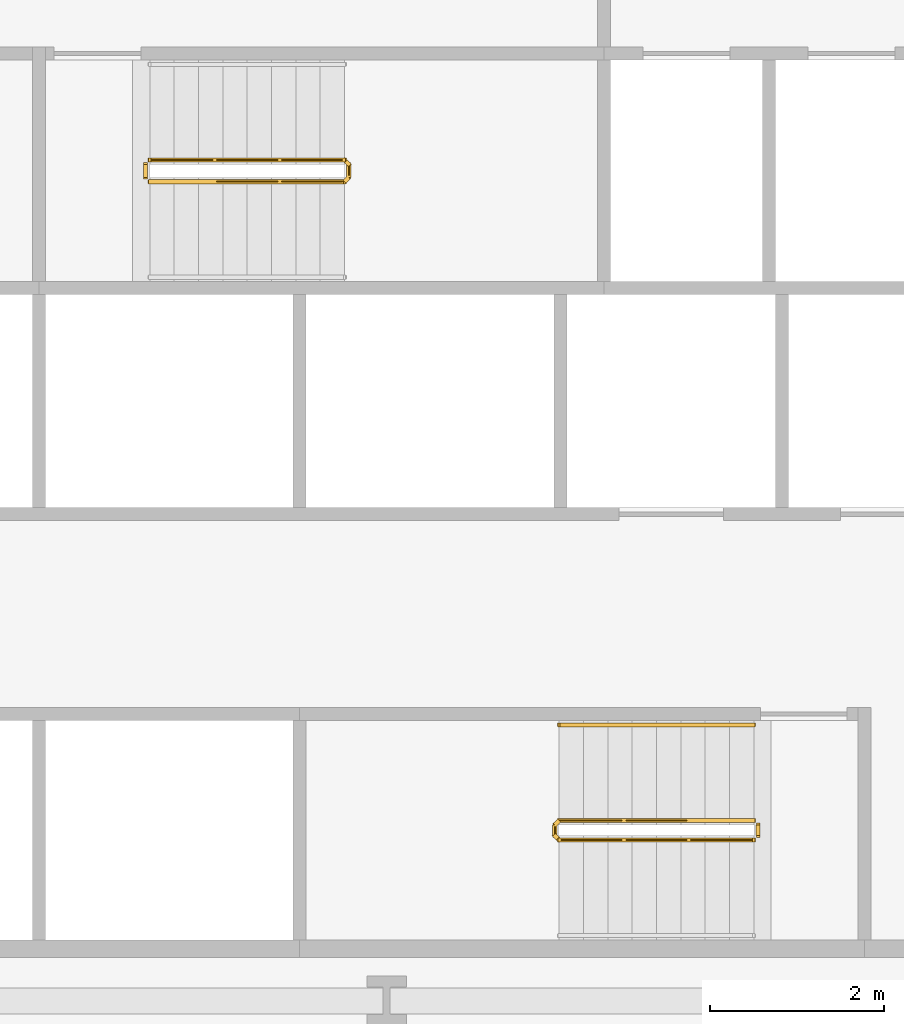
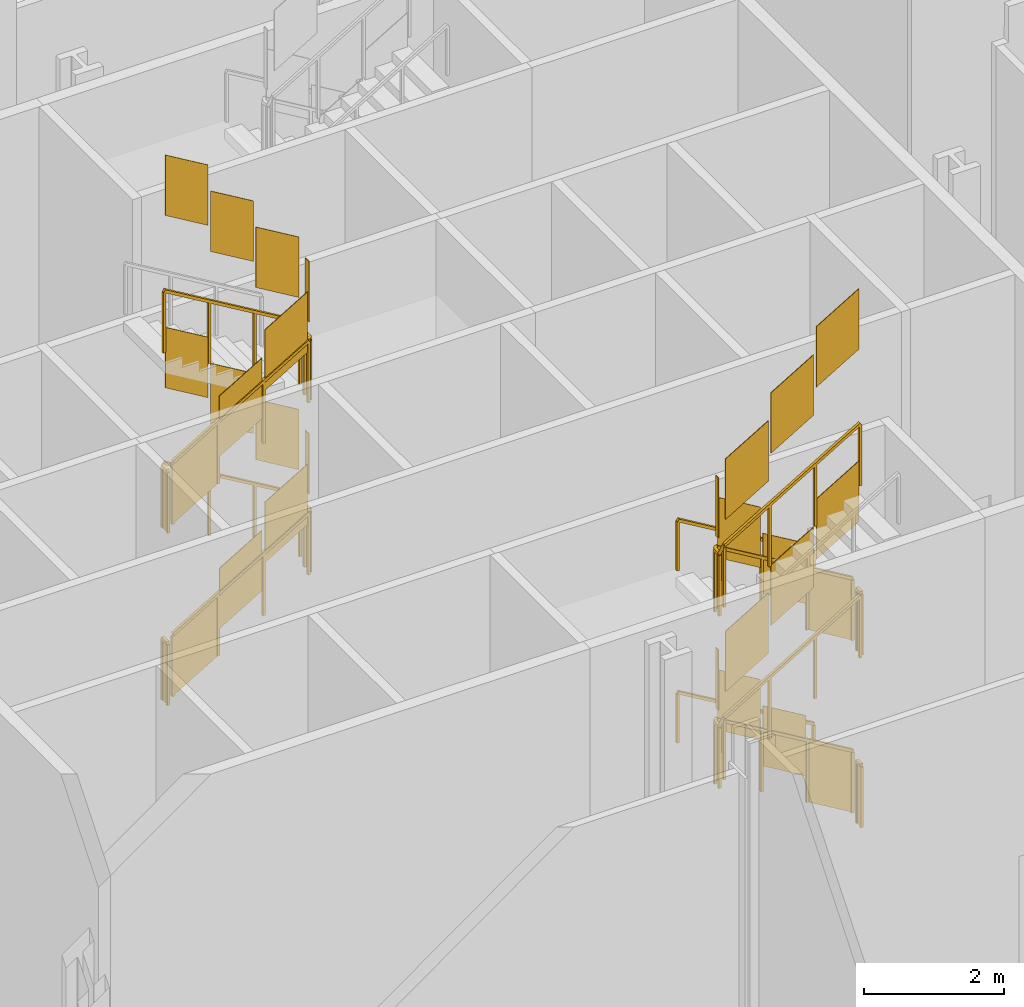
# One storey, part 26 of 31: 10 railings.
"""IFC4 building model written with IfcOpenShell, lengths in metres."""

from ifc_helpers import new_model, si_unit, direction, frame, origin, origin_2d, place, context, subcontext, project, spatial, polyline, rectangle, outline, extrude, material, type_object, element, save


model = new_model("IFC4")

# Units and contexts
model_context = context("Model", 3, precision=1e-05, world=origin(), true_north=direction((0.0, 1.0)))
body_context = subcontext(model_context, "Body", "Model", "MODEL_VIEW")
ifc_project = project(units=[si_unit("LENGTHUNIT", "METRE"), si_unit("AREAUNIT", "SQUARE_METRE"), si_unit("VOLUMEUNIT", "CUBIC_METRE"), si_unit("PLANEANGLEUNIT", "RADIAN"), si_unit("MASSUNIT", "GRAM", prefix="KILO")], contexts=[model_context])

# Site, building, storey
site_placement = place(None, origin())
site = spatial("IfcSite", under=ifc_project, at=site_placement, CompositionType="ELEMENT")
building_placement = place(site_placement, origin())
building = spatial("IfcBuilding", under=site, at=building_placement, Name="Cairn Pilgrim Tower", CompositionType="ELEMENT")
storey_placement = place(building_placement, frame((0.0, 0.0, 15.0)))
storey = spatial("IfcBuildingStorey", under=building, at=storey_placement, Name="L02", CompositionType="ELEMENT", Elevation=15.0)

# Railings
ifc_material = material(Name="Painted steel", Category="steel")
railing_type_1 = type_object("IfcRailingType", Name="STAIR GUARD 1100", PredefinedType="GUARDRAIL", material=ifc_material)
railing_1_placement = place(storey_placement, frame((11.425048828125, -3.925048828125, 0.166748046875)))
element("IfcRailing", 1, at=railing_1_placement, inside=storey, type_object=railing_type_1, Name="L02 ST-A stair guard 1", PredefinedType="GUARDRAIL", context=body_context, shape_type="SweptSolid", body=[
    extrude(rectangle(XDim=0.048095703125, YDim=0.048095703125, at=origin_2d()), frame((0.0, 0.0, 1.076171875), z_axis=(-0.859305625298, 0.0, 0.511462454469), x_axis=(0.0, -1.0, 0.0)), (0.0, 0.0, 1.0), 2.606689453125),
    extrude(rectangle(XDim=0.048095703125, YDim=0.048095703125, at=origin_2d()), frame((-2.239990234375, 0.0, 2.4091796875), z_axis=(-0.707106781187, -0.707106781187, 0.0), x_axis=(0.707106781187, -0.707106781187, 0.0)), (0.0, 0.0, 1.0), 0.07080078125),
    extrude(rectangle(XDim=0.048095703125, YDim=0.048095703125, at=origin_2d()), frame((-2.2900390625, -0.050048828125, 2.4091796875), z_axis=(0.0, -1.0, 0.0), x_axis=(1.0, 0.0, 0.0)), (0.0, 0.0, 1.0), 0.125),
    extrude(rectangle(XDim=0.048095703125, YDim=0.048095703125, at=origin_2d()), frame((-2.2900390625, -0.175048828125, 2.4091796875), z_axis=(0.276389281352, -0.275041040955, 0.920848191041), x_axis=(0.705375805398, 0.708833529934, 0.0)), (0.0, 0.0, 1.0), 0.18115234375),
    extrude(rectangle(XDim=0.048095703125, YDim=0.048095703125, at=origin_2d()), frame((-2.239990234375, -0.224853515625, 2.576171875), z_axis=(0.859305625298, 0.0, 0.511462454469), x_axis=(0.0, 1.0, 0.0)), (0.0, 0.0, 1.0), 2.606689453125),
    extrude(rectangle(XDim=0.0419921875, YDim=0.0419921875, at=origin_2d()), origin(), (0.0, 0.0, 1.0), 1.052001953125),
    extrude(rectangle(XDim=0.0419921875, YDim=0.0419921875, at=origin_2d()), frame((-0.74658203125, 0.0, 0.4443359375)), (0.0, 0.0, 1.0), 1.052001953125),
    extrude(rectangle(XDim=0.0419921875, YDim=0.0419921875, at=origin_2d()), frame((-1.493408203125, 0.0, 0.888916015625)), (0.0, 0.0, 1.0), 1.052001953125),
    extrude(rectangle(XDim=0.0419921875, YDim=0.0419921875, at=origin_2d()), frame((-2.239990234375, 0.0, 1.333251953125)), (0.0, 0.0, 1.0), 1.052001953125),
    extrude(rectangle(XDim=0.0419921875, YDim=0.0419921875, at=origin_2d()), frame((-2.2900390625, -0.050048828125, 1.333251953125)), (0.0, 0.0, 1.0), 1.052001953125),
    extrude(rectangle(XDim=0.0419921875, YDim=0.0419921875, at=origin_2d()), frame((-2.2900390625, -0.175048828125, 1.333251953125)), (0.0, 0.0, 1.0), 1.052001953125),
    extrude(rectangle(XDim=0.0419921875, YDim=0.0419921875, at=origin_2d()), frame((-2.239990234375, -0.224853515625, 1.5)), (0.0, 0.0, 1.0), 1.052001953125),
    extrude(rectangle(XDim=0.0419921875, YDim=0.0419921875, at=origin_2d()), frame((-1.493408203125, -0.224853515625, 1.9443359375)), (0.0, 0.0, 1.0), 1.052001953125),
    extrude(rectangle(XDim=0.0419921875, YDim=0.0419921875, at=origin_2d()), frame((-0.74658203125, -0.224853515625, 2.388916015625)), (0.0, 0.0, 1.0), 1.052001953125),
    extrude(rectangle(XDim=0.0419921875, YDim=0.0419921875, at=origin_2d()), frame((0.0, -0.224853515625, 2.833251953125)), (0.0, 0.0, 1.0), 1.052001953125),
    extrude(outline(polyline([(0.02099609375, 0.012451171875), (0.7255859375, 0.431884765625), (0.7255859375, 1.48388671875), (0.02099609375, 1.064453125), (0.02099609375, 0.012451171875)])), frame((0.0, -0.005859375, 0.0), z_axis=(0.0, 1.0, 0.0), x_axis=(-1.0, 0.0, 0.0)), (0.0, 0.0, 1.0), 0.011962890625),
    extrude(outline(polyline([(0.02099609375, 0.45703125), (0.7255859375, 0.876220703125), (0.7255859375, 1.92822265625), (0.02099609375, 1.509033203125), (0.02099609375, 0.45703125)])), frame((-0.74658203125, -0.005859375, 0.4443359375), z_axis=(0.0, 1.0, 0.0), x_axis=(-1.0, 0.0, 0.0)), (0.0, 0.0, 1.0), 0.011962890625),
    extrude(outline(polyline([(0.02099609375, 0.9013671875), (0.7255859375, 1.32080078125), (0.7255859375, 2.372802734375), (0.02099609375, 1.953369140625), (0.02099609375, 0.9013671875)])), frame((-1.493408203125, -0.005859375, 0.888916015625), z_axis=(0.0, 1.0, 0.0), x_axis=(-1.0, 0.0, 0.0)), (0.0, 0.0, 1.0), 0.011962890625),
    extrude(outline(polyline([(0.02099609375, 1.333251953125), (0.10400390625, 1.333251953125), (0.10400390625, 2.38525390625), (0.02099609375, 2.38525390625), (0.02099609375, 1.333251953125)])), frame((-2.2841796875, -0.050048828125, 1.333251953125), z_axis=(-1.0, 0.0, 0.0), x_axis=(0.0, -1.0, 0.0)), (0.0, 0.0, 1.0), 0.011962890625),
    extrude(outline(polyline([(0.02099609375, 1.512451171875), (0.7255859375, 1.931884765625), (0.7255859375, 2.98388671875), (0.02099609375, 2.564453125), (0.02099609375, 1.512451171875)])), frame((-2.239990234375, -0.21875, 1.5), z_axis=(0.0, -1.0, 0.0), x_axis=(1.0, 0.0, 0.0)), (0.0, 0.0, 1.0), 0.011962890625),
    extrude(outline(polyline([(0.02099609375, 1.95703125), (0.7255859375, 2.376220703125), (0.7255859375, 3.42822265625), (0.02099609375, 3.009033203125), (0.02099609375, 1.95703125)])), frame((-1.493408203125, -0.21875, 1.9443359375), z_axis=(0.0, -1.0, 0.0), x_axis=(1.0, 0.0, 0.0)), (0.0, 0.0, 1.0), 0.011962890625),
    extrude(outline(polyline([(0.02099609375, 2.4013671875), (0.7255859375, 2.82080078125), (0.7255859375, 3.872802734375), (0.02099609375, 3.453369140625), (0.02099609375, 2.4013671875)])), frame((-0.74658203125, -0.21875, 2.388916015625), z_axis=(0.0, -1.0, 0.0), x_axis=(1.0, 0.0, 0.0)), (0.0, 0.0, 1.0), 0.011962890625),
])
railing_2_placement = place(storey_placement, frame((11.47509765625, -3.97509765625, 3.0)))
element("IfcRailing", 2, at=railing_2_placement, inside=storey, type_object=railing_type_1, Name="L02 ST-A stair guard 2", PredefinedType="GUARDRAIL", context=body_context, shape_type="SweptSolid", body=[
    extrude(rectangle(XDim=0.048095703125, YDim=0.048095703125, at=origin_2d()), frame((0.0, 0.0, 1.076171875), z_axis=(0.0, -1.0, 0.0), x_axis=(1.0, 0.0, 0.0)), (0.0, 0.0, 1.0), 0.125),
    extrude(rectangle(XDim=0.0419921875, YDim=0.0419921875, at=origin_2d()), origin(), (0.0, 0.0, 1.0), 1.052001953125),
    extrude(rectangle(XDim=0.0419921875, YDim=0.0419921875, at=origin_2d()), frame((0.0, -0.125, 0.0)), (0.0, 0.0, 1.0), 1.052001953125),
    extrude(outline(polyline([(0.02099609375, 0.0), (0.10400390625, 0.0), (0.10400390625, 1.052001953125), (0.02099609375, 1.052001953125), (0.02099609375, 0.0)])), frame((0.005859375, 0.0, 0.0), z_axis=(-1.0, 0.0, 0.0), x_axis=(0.0, -1.0, 0.0)), (0.0, 0.0, 1.0), 0.011962890625),
])
railing_3_placement = place(storey_placement, frame((11.425048828125, -3.925048828125, 3.166748046875)))
element("IfcRailing", 3, at=railing_3_placement, inside=storey, type_object=railing_type_1, Name="L02 ST-A stair guard 3", PredefinedType="GUARDRAIL", context=body_context, shape_type="SweptSolid", body=[
    extrude(rectangle(XDim=0.048095703125, YDim=0.048095703125, at=origin_2d()), frame((0.0, 0.0, 1.076171875), z_axis=(-0.859305625298, 0.0, 0.511462454469), x_axis=(0.0, -1.0, 0.0)), (0.0, 0.0, 1.0), 2.606689453125),
    extrude(rectangle(XDim=0.048095703125, YDim=0.048095703125, at=origin_2d()), frame((-2.239990234375, 0.0, 2.4091796875), z_axis=(-0.707106781187, -0.707106781187, 0.0), x_axis=(0.707106781187, -0.707106781187, 0.0)), (0.0, 0.0, 1.0), 0.07080078125),
    extrude(rectangle(XDim=0.048095703125, YDim=0.048095703125, at=origin_2d()), frame((-2.2900390625, -0.050048828125, 2.4091796875), z_axis=(0.0, -1.0, 0.0), x_axis=(1.0, 0.0, 0.0)), (0.0, 0.0, 1.0), 0.125),
    extrude(rectangle(XDim=0.048095703125, YDim=0.048095703125, at=origin_2d()), frame((-2.2900390625, -0.175048828125, 2.4091796875), z_axis=(0.276389281352, -0.275041040955, 0.920848191041), x_axis=(0.705375805398, 0.708833529934, 0.0)), (0.0, 0.0, 1.0), 0.18115234375),
    extrude(rectangle(XDim=0.048095703125, YDim=0.048095703125, at=origin_2d()), frame((-2.239990234375, -0.224853515625, 2.576171875), z_axis=(0.859305625298, 0.0, 0.511462454469), x_axis=(0.0, 1.0, 0.0)), (0.0, 0.0, 1.0), 2.606689453125),
    extrude(rectangle(XDim=0.0419921875, YDim=0.0419921875, at=origin_2d()), origin(), (0.0, 0.0, 1.0), 1.052001953125),
    extrude(rectangle(XDim=0.0419921875, YDim=0.0419921875, at=origin_2d()), frame((-0.74658203125, 0.0, 0.4443359375)), (0.0, 0.0, 1.0), 1.052001953125),
    extrude(rectangle(XDim=0.0419921875, YDim=0.0419921875, at=origin_2d()), frame((-1.493408203125, 0.0, 0.888916015625)), (0.0, 0.0, 1.0), 1.052001953125),
    extrude(rectangle(XDim=0.0419921875, YDim=0.0419921875, at=origin_2d()), frame((-2.239990234375, 0.0, 1.333251953125)), (0.0, 0.0, 1.0), 1.052001953125),
    extrude(rectangle(XDim=0.0419921875, YDim=0.0419921875, at=origin_2d()), frame((-2.2900390625, -0.050048828125, 1.333251953125)), (0.0, 0.0, 1.0), 1.052001953125),
    extrude(rectangle(XDim=0.0419921875, YDim=0.0419921875, at=origin_2d()), frame((-2.2900390625, -0.175048828125, 1.333251953125)), (0.0, 0.0, 1.0), 1.052001953125),
    extrude(rectangle(XDim=0.0419921875, YDim=0.0419921875, at=origin_2d()), frame((-2.239990234375, -0.224853515625, 1.5)), (0.0, 0.0, 1.0), 1.052001953125),
    extrude(rectangle(XDim=0.0419921875, YDim=0.0419921875, at=origin_2d()), frame((-1.493408203125, -0.224853515625, 1.9443359375)), (0.0, 0.0, 1.0), 1.052001953125),
    extrude(rectangle(XDim=0.0419921875, YDim=0.0419921875, at=origin_2d()), frame((-0.74658203125, -0.224853515625, 2.388916015625)), (0.0, 0.0, 1.0), 1.052001953125),
    extrude(rectangle(XDim=0.0419921875, YDim=0.0419921875, at=origin_2d()), frame((0.0, -0.224853515625, 2.833251953125)), (0.0, 0.0, 1.0), 1.052001953125),
    extrude(outline(polyline([(0.02099609375, 0.012451171875), (0.7255859375, 0.431884765625), (0.7255859375, 1.48388671875), (0.02099609375, 1.064453125), (0.02099609375, 0.012451171875)])), frame((0.0, -0.005859375, 0.0), z_axis=(0.0, 1.0, 0.0), x_axis=(-1.0, 0.0, 0.0)), (0.0, 0.0, 1.0), 0.011962890625),
    extrude(outline(polyline([(0.02099609375, 0.45703125), (0.7255859375, 0.876220703125), (0.7255859375, 1.92822265625), (0.02099609375, 1.509033203125), (0.02099609375, 0.45703125)])), frame((-0.74658203125, -0.005859375, 0.4443359375), z_axis=(0.0, 1.0, 0.0), x_axis=(-1.0, 0.0, 0.0)), (0.0, 0.0, 1.0), 0.011962890625),
    extrude(outline(polyline([(0.02099609375, 0.9013671875), (0.7255859375, 1.32080078125), (0.7255859375, 2.372802734375), (0.02099609375, 1.953369140625), (0.02099609375, 0.9013671875)])), frame((-1.493408203125, -0.005859375, 0.888916015625), z_axis=(0.0, 1.0, 0.0), x_axis=(-1.0, 0.0, 0.0)), (0.0, 0.0, 1.0), 0.011962890625),
    extrude(outline(polyline([(0.02099609375, 1.333251953125), (0.10400390625, 1.333251953125), (0.10400390625, 2.38525390625), (0.02099609375, 2.38525390625), (0.02099609375, 1.333251953125)])), frame((-2.2841796875, -0.050048828125, 1.333251953125), z_axis=(-1.0, 0.0, 0.0), x_axis=(0.0, -1.0, 0.0)), (0.0, 0.0, 1.0), 0.011962890625),
    extrude(outline(polyline([(0.02099609375, 1.512451171875), (0.7255859375, 1.931884765625), (0.7255859375, 2.98388671875), (0.02099609375, 2.564453125), (0.02099609375, 1.512451171875)])), frame((-2.239990234375, -0.21875, 1.5), z_axis=(0.0, -1.0, 0.0), x_axis=(1.0, 0.0, 0.0)), (0.0, 0.0, 1.0), 0.011962890625),
    extrude(outline(polyline([(0.02099609375, 1.95703125), (0.7255859375, 2.376220703125), (0.7255859375, 3.42822265625), (0.02099609375, 3.009033203125), (0.02099609375, 1.95703125)])), frame((-1.493408203125, -0.21875, 1.9443359375), z_axis=(0.0, -1.0, 0.0), x_axis=(1.0, 0.0, 0.0)), (0.0, 0.0, 1.0), 0.011962890625),
    extrude(outline(polyline([(0.02099609375, 2.4013671875), (0.7255859375, 2.82080078125), (0.7255859375, 3.872802734375), (0.02099609375, 3.453369140625), (0.02099609375, 2.4013671875)])), frame((-0.74658203125, -0.21875, 2.388916015625), z_axis=(0.0, -1.0, 0.0), x_axis=(1.0, 0.0, 0.0)), (0.0, 0.0, 1.0), 0.011962890625),
])
railing_4_placement = place(storey_placement, frame((11.47509765625, -3.97509765625, 0.0)))
element("IfcRailing", 4, at=railing_4_placement, inside=storey, type_object=railing_type_1, Name="L02 ST-A stair guard 4", PredefinedType="GUARDRAIL", context=body_context, shape_type="SweptSolid", body=[
    extrude(rectangle(XDim=0.048095703125, YDim=0.048095703125, at=origin_2d()), frame((0.0, 0.0, 1.076171875), z_axis=(0.0, -1.0, 0.0), x_axis=(1.0, 0.0, 0.0)), (0.0, 0.0, 1.0), 0.125),
    extrude(rectangle(XDim=0.0419921875, YDim=0.0419921875, at=origin_2d()), origin(), (0.0, 0.0, 1.0), 1.052001953125),
    extrude(rectangle(XDim=0.0419921875, YDim=0.0419921875, at=origin_2d()), frame((0.0, -0.125, 0.0)), (0.0, 0.0, 1.0), 1.052001953125),
    extrude(outline(polyline([(0.02099609375, 0.0), (0.10400390625, 0.0), (0.10400390625, 1.052001953125), (0.02099609375, 1.052001953125), (0.02099609375, 0.0)])), frame((0.005859375, 0.0, 0.0), z_axis=(-1.0, 0.0, 0.0), x_axis=(0.0, -1.0, 0.0)), (0.0, 0.0, 1.0), 0.011962890625),
])
railing_5_placement = place(storey_placement, frame((4.47509765625, 3.425048828125, 0.166748046875)))
element("IfcRailing", 5, at=railing_5_placement, inside=storey, type_object=railing_type_1, Name="L02 ST-B stair guard 1", PredefinedType="GUARDRAIL", context=body_context, shape_type="SweptSolid", body=[
    extrude(rectangle(XDim=0.048095703125, YDim=0.048095703125, at=origin_2d()), frame((0.0, 0.0, 1.076171875), z_axis=(0.859305625298, 0.0, 0.511462454469), x_axis=(0.0, 1.0, 0.0)), (0.0, 0.0, 1.0), 2.606689453125),
    extrude(rectangle(XDim=0.048095703125, YDim=0.048095703125, at=origin_2d()), frame((2.239990234375, 0.0, 2.4091796875), z_axis=(0.705375805398, 0.708833529934, 0.0), x_axis=(-0.708833529934, 0.705375805398, 0.0)), (0.0, 0.0, 1.0), 0.070556640625),
    extrude(rectangle(XDim=0.048095703125, YDim=0.048095703125, at=origin_2d()), frame((2.289794921875, 0.050048828125, 2.4091796875), z_axis=(0.0, 1.0, 0.0), x_axis=(-1.0, 0.0, 0.0)), (0.0, 0.0, 1.0), 0.14990234375),
    extrude(rectangle(XDim=0.048095703125, YDim=0.048095703125, at=origin_2d()), frame((2.289794921875, 0.199951171875, 2.4091796875), z_axis=(-0.275041040955, 0.276389281352, 0.920848191041), x_axis=(-0.708833529934, -0.705375805398, 0.0)), (0.0, 0.0, 1.0), 0.18115234375),
    extrude(rectangle(XDim=0.048095703125, YDim=0.048095703125, at=origin_2d()), frame((2.239990234375, 0.25, 2.576171875), z_axis=(-0.859305625298, 0.0, 0.511462454469), x_axis=(0.0, -1.0, 0.0)), (0.0, 0.0, 1.0), 2.606689453125),
    extrude(rectangle(XDim=0.0419921875, YDim=0.0419921875, at=origin_2d()), origin(), (0.0, 0.0, 1.0), 1.052001953125),
    extrude(rectangle(XDim=0.0419921875, YDim=0.0419921875, at=origin_2d()), frame((0.74658203125, 0.0, 0.4443359375)), (0.0, 0.0, 1.0), 1.052001953125),
    extrude(rectangle(XDim=0.0419921875, YDim=0.0419921875, at=origin_2d()), frame((1.493408203125, 0.0, 0.888916015625)), (0.0, 0.0, 1.0), 1.052001953125),
    extrude(rectangle(XDim=0.0419921875, YDim=0.0419921875, at=origin_2d()), frame((2.239990234375, 0.0, 1.333251953125)), (0.0, 0.0, 1.0), 1.052001953125),
    extrude(rectangle(XDim=0.0419921875, YDim=0.0419921875, at=origin_2d()), frame((2.289794921875, 0.050048828125, 1.333251953125)), (0.0, 0.0, 1.0), 1.052001953125),
    extrude(rectangle(XDim=0.0419921875, YDim=0.0419921875, at=origin_2d()), frame((2.289794921875, 0.199951171875, 1.333251953125)), (0.0, 0.0, 1.0), 1.052001953125),
    extrude(rectangle(XDim=0.0419921875, YDim=0.0419921875, at=origin_2d()), frame((2.239990234375, 0.25, 1.5)), (0.0, 0.0, 1.0), 1.052001953125),
    extrude(rectangle(XDim=0.0419921875, YDim=0.0419921875, at=origin_2d()), frame((1.493408203125, 0.25, 1.9443359375)), (0.0, 0.0, 1.0), 1.052001953125),
    extrude(rectangle(XDim=0.0419921875, YDim=0.0419921875, at=origin_2d()), frame((0.74658203125, 0.25, 2.388916015625)), (0.0, 0.0, 1.0), 1.052001953125),
    extrude(rectangle(XDim=0.0419921875, YDim=0.0419921875, at=origin_2d()), frame((0.0, 0.25, 2.833251953125)), (0.0, 0.0, 1.0), 1.052001953125),
    extrude(outline(polyline([(0.02099609375, 0.012451171875), (0.7255859375, 0.431884765625), (0.7255859375, 1.48388671875), (0.02099609375, 1.064453125), (0.02099609375, 0.012451171875)])), frame((0.0, 0.005859375, 0.0), z_axis=(0.0, -1.0, 0.0), x_axis=(1.0, 0.0, 0.0)), (0.0, 0.0, 1.0), 0.011962890625),
    extrude(outline(polyline([(0.02099609375, 0.45703125), (0.7255859375, 0.876220703125), (0.7255859375, 1.92822265625), (0.02099609375, 1.509033203125), (0.02099609375, 0.45703125)])), frame((0.74658203125, 0.005859375, 0.4443359375), z_axis=(0.0, -1.0, 0.0), x_axis=(1.0, 0.0, 0.0)), (0.0, 0.0, 1.0), 0.011962890625),
    extrude(outline(polyline([(0.02099609375, 0.9013671875), (0.7255859375, 1.32080078125), (0.7255859375, 2.372802734375), (0.02099609375, 1.953369140625), (0.02099609375, 0.9013671875)])), frame((1.493408203125, 0.005859375, 0.888916015625), z_axis=(0.0, -1.0, 0.0), x_axis=(1.0, 0.0, 0.0)), (0.0, 0.0, 1.0), 0.011962890625),
    extrude(outline(polyline([(0.02099609375, 1.333251953125), (0.12890625, 1.333251953125), (0.12890625, 2.38525390625), (0.02099609375, 2.38525390625), (0.02099609375, 1.333251953125)])), frame((2.28369140625, 0.050048828125, 1.333251953125), z_axis=(1.0, 0.0, 0.0), x_axis=(0.0, 1.0, 0.0)), (0.0, 0.0, 1.0), 0.011962890625),
    extrude(outline(polyline([(0.02099609375, 1.512451171875), (0.7255859375, 1.931884765625), (0.7255859375, 2.98388671875), (0.02099609375, 2.564453125), (0.02099609375, 1.512451171875)])), frame((2.239990234375, 0.244140625, 1.5), z_axis=(0.0, 1.0, 0.0), x_axis=(-1.0, 0.0, 0.0)), (0.0, 0.0, 1.0), 0.011962890625),
    extrude(outline(polyline([(0.02099609375, 1.95703125), (0.7255859375, 2.376220703125), (0.7255859375, 3.42822265625), (0.02099609375, 3.009033203125), (0.02099609375, 1.95703125)])), frame((1.493408203125, 0.244140625, 1.9443359375), z_axis=(0.0, 1.0, 0.0), x_axis=(-1.0, 0.0, 0.0)), (0.0, 0.0, 1.0), 0.011962890625),
    extrude(outline(polyline([(0.02099609375, 2.4013671875), (0.7255859375, 2.82080078125), (0.7255859375, 3.872802734375), (0.02099609375, 3.453369140625), (0.02099609375, 2.4013671875)])), frame((0.74658203125, 0.244140625, 2.388916015625), z_axis=(0.0, 1.0, 0.0), x_axis=(-1.0, 0.0, 0.0)), (0.0, 0.0, 1.0), 0.011962890625),
])
railing_6_placement = place(storey_placement, frame((4.425048828125, 3.47509765625, 3.0)))
element("IfcRailing", 6, at=railing_6_placement, inside=storey, type_object=railing_type_1, Name="L02 ST-B stair guard 2", PredefinedType="GUARDRAIL", context=body_context, shape_type="SweptSolid", body=[
    extrude(rectangle(XDim=0.048095703125, YDim=0.048095703125, at=origin_2d()), frame((0.0, 0.0, 1.076171875), z_axis=(0.0, 1.0, 0.0), x_axis=(-1.0, 0.0, 0.0)), (0.0, 0.0, 1.0), 0.14990234375),
    extrude(rectangle(XDim=0.0419921875, YDim=0.0419921875, at=origin_2d()), origin(), (0.0, 0.0, 1.0), 1.052001953125),
    extrude(rectangle(XDim=0.0419921875, YDim=0.0419921875, at=origin_2d()), frame((0.0, 0.14990234375, 0.0)), (0.0, 0.0, 1.0), 1.052001953125),
    extrude(outline(polyline([(0.02099609375, 0.0), (0.12890625, 0.0), (0.12890625, 1.052001953125), (0.02099609375, 1.052001953125), (0.02099609375, 0.0)])), frame((-0.005859375, 0.0, 0.0), z_axis=(1.0, 0.0, 0.0), x_axis=(0.0, 1.0, 0.0)), (0.0, 0.0, 1.0), 0.011962890625),
])
railing_7_placement = place(storey_placement, frame((4.47509765625, 3.425048828125, 3.166748046875)))
element("IfcRailing", 7, at=railing_7_placement, inside=storey, type_object=railing_type_1, Name="L02 ST-B stair guard 3", PredefinedType="GUARDRAIL", context=body_context, shape_type="SweptSolid", body=[
    extrude(rectangle(XDim=0.048095703125, YDim=0.048095703125, at=origin_2d()), frame((0.0, 0.0, 1.076171875), z_axis=(0.859305625298, 0.0, 0.511462454469), x_axis=(0.0, 1.0, 0.0)), (0.0, 0.0, 1.0), 2.606689453125),
    extrude(rectangle(XDim=0.048095703125, YDim=0.048095703125, at=origin_2d()), frame((2.239990234375, 0.0, 2.4091796875), z_axis=(0.705375805398, 0.708833529934, 0.0), x_axis=(-0.708833529934, 0.705375805398, 0.0)), (0.0, 0.0, 1.0), 0.070556640625),
    extrude(rectangle(XDim=0.048095703125, YDim=0.048095703125, at=origin_2d()), frame((2.289794921875, 0.050048828125, 2.4091796875), z_axis=(0.0, 1.0, 0.0), x_axis=(-1.0, 0.0, 0.0)), (0.0, 0.0, 1.0), 0.14990234375),
    extrude(rectangle(XDim=0.048095703125, YDim=0.048095703125, at=origin_2d()), frame((2.289794921875, 0.199951171875, 2.4091796875), z_axis=(-0.275041040955, 0.276389281352, 0.920848191041), x_axis=(-0.708833529934, -0.705375805398, 0.0)), (0.0, 0.0, 1.0), 0.18115234375),
    extrude(rectangle(XDim=0.048095703125, YDim=0.048095703125, at=origin_2d()), frame((2.239990234375, 0.25, 2.576171875), z_axis=(-0.859305625298, 0.0, 0.511462454469), x_axis=(0.0, -1.0, 0.0)), (0.0, 0.0, 1.0), 2.606689453125),
    extrude(rectangle(XDim=0.0419921875, YDim=0.0419921875, at=origin_2d()), origin(), (0.0, 0.0, 1.0), 1.052001953125),
    extrude(rectangle(XDim=0.0419921875, YDim=0.0419921875, at=origin_2d()), frame((0.74658203125, 0.0, 0.4443359375)), (0.0, 0.0, 1.0), 1.052001953125),
    extrude(rectangle(XDim=0.0419921875, YDim=0.0419921875, at=origin_2d()), frame((1.493408203125, 0.0, 0.888916015625)), (0.0, 0.0, 1.0), 1.052001953125),
    extrude(rectangle(XDim=0.0419921875, YDim=0.0419921875, at=origin_2d()), frame((2.239990234375, 0.0, 1.333251953125)), (0.0, 0.0, 1.0), 1.052001953125),
    extrude(rectangle(XDim=0.0419921875, YDim=0.0419921875, at=origin_2d()), frame((2.289794921875, 0.050048828125, 1.333251953125)), (0.0, 0.0, 1.0), 1.052001953125),
    extrude(rectangle(XDim=0.0419921875, YDim=0.0419921875, at=origin_2d()), frame((2.289794921875, 0.199951171875, 1.333251953125)), (0.0, 0.0, 1.0), 1.052001953125),
    extrude(rectangle(XDim=0.0419921875, YDim=0.0419921875, at=origin_2d()), frame((2.239990234375, 0.25, 1.5)), (0.0, 0.0, 1.0), 1.052001953125),
    extrude(rectangle(XDim=0.0419921875, YDim=0.0419921875, at=origin_2d()), frame((1.493408203125, 0.25, 1.9443359375)), (0.0, 0.0, 1.0), 1.052001953125),
    extrude(rectangle(XDim=0.0419921875, YDim=0.0419921875, at=origin_2d()), frame((0.74658203125, 0.25, 2.388916015625)), (0.0, 0.0, 1.0), 1.052001953125),
    extrude(rectangle(XDim=0.0419921875, YDim=0.0419921875, at=origin_2d()), frame((0.0, 0.25, 2.833251953125)), (0.0, 0.0, 1.0), 1.052001953125),
    extrude(outline(polyline([(0.02099609375, 0.012451171875), (0.7255859375, 0.431884765625), (0.7255859375, 1.48388671875), (0.02099609375, 1.064453125), (0.02099609375, 0.012451171875)])), frame((0.0, 0.005859375, 0.0), z_axis=(0.0, -1.0, 0.0), x_axis=(1.0, 0.0, 0.0)), (0.0, 0.0, 1.0), 0.011962890625),
    extrude(outline(polyline([(0.02099609375, 0.45703125), (0.7255859375, 0.876220703125), (0.7255859375, 1.92822265625), (0.02099609375, 1.509033203125), (0.02099609375, 0.45703125)])), frame((0.74658203125, 0.005859375, 0.4443359375), z_axis=(0.0, -1.0, 0.0), x_axis=(1.0, 0.0, 0.0)), (0.0, 0.0, 1.0), 0.011962890625),
    extrude(outline(polyline([(0.02099609375, 0.9013671875), (0.7255859375, 1.32080078125), (0.7255859375, 2.372802734375), (0.02099609375, 1.953369140625), (0.02099609375, 0.9013671875)])), frame((1.493408203125, 0.005859375, 0.888916015625), z_axis=(0.0, -1.0, 0.0), x_axis=(1.0, 0.0, 0.0)), (0.0, 0.0, 1.0), 0.011962890625),
    extrude(outline(polyline([(0.02099609375, 1.333251953125), (0.12890625, 1.333251953125), (0.12890625, 2.38525390625), (0.02099609375, 2.38525390625), (0.02099609375, 1.333251953125)])), frame((2.28369140625, 0.050048828125, 1.333251953125), z_axis=(1.0, 0.0, 0.0), x_axis=(0.0, 1.0, 0.0)), (0.0, 0.0, 1.0), 0.011962890625),
    extrude(outline(polyline([(0.02099609375, 1.512451171875), (0.7255859375, 1.931884765625), (0.7255859375, 2.98388671875), (0.02099609375, 2.564453125), (0.02099609375, 1.512451171875)])), frame((2.239990234375, 0.244140625, 1.5), z_axis=(0.0, 1.0, 0.0), x_axis=(-1.0, 0.0, 0.0)), (0.0, 0.0, 1.0), 0.011962890625),
    extrude(outline(polyline([(0.02099609375, 1.95703125), (0.7255859375, 2.376220703125), (0.7255859375, 3.42822265625), (0.02099609375, 3.009033203125), (0.02099609375, 1.95703125)])), frame((1.493408203125, 0.244140625, 1.9443359375), z_axis=(0.0, 1.0, 0.0), x_axis=(-1.0, 0.0, 0.0)), (0.0, 0.0, 1.0), 0.011962890625),
    extrude(outline(polyline([(0.02099609375, 2.4013671875), (0.7255859375, 2.82080078125), (0.7255859375, 3.872802734375), (0.02099609375, 3.453369140625), (0.02099609375, 2.4013671875)])), frame((0.74658203125, 0.244140625, 2.388916015625), z_axis=(0.0, 1.0, 0.0), x_axis=(-1.0, 0.0, 0.0)), (0.0, 0.0, 1.0), 0.011962890625),
])
railing_8_placement = place(storey_placement, frame((4.425048828125, 3.47509765625, 0.0)))
element("IfcRailing", 8, at=railing_8_placement, inside=storey, type_object=railing_type_1, Name="L02 ST-B stair guard 4", PredefinedType="GUARDRAIL", context=body_context, shape_type="SweptSolid", body=[
    extrude(rectangle(XDim=0.048095703125, YDim=0.048095703125, at=origin_2d()), frame((0.0, 0.0, 1.076171875), z_axis=(0.0, 1.0, 0.0), x_axis=(-1.0, 0.0, 0.0)), (0.0, 0.0, 1.0), 0.14990234375),
    extrude(rectangle(XDim=0.0419921875, YDim=0.0419921875, at=origin_2d()), origin(), (0.0, 0.0, 1.0), 1.052001953125),
    extrude(rectangle(XDim=0.0419921875, YDim=0.0419921875, at=origin_2d()), frame((0.0, 0.14990234375, 0.0)), (0.0, 0.0, 1.0), 1.052001953125),
    extrude(outline(polyline([(0.02099609375, 0.0), (0.12890625, 0.0), (0.12890625, 1.052001953125), (0.02099609375, 1.052001953125), (0.02099609375, 0.0)])), frame((-0.005859375, 0.0, 0.0), z_axis=(1.0, 0.0, 0.0), x_axis=(0.0, 1.0, 0.0)), (0.0, 0.0, 1.0), 0.011962890625),
])
railing_type_2 = type_object("IfcRailingType", Name="STAIR HANDRAIL 900", PredefinedType="HANDRAIL", material=ifc_material)
for number, where, name in (
    (9, (11.425048828125, -2.824951171875, 0.166748046875), "L02 ST-A stair handrail 1"),
    (10, (11.425048828125, -2.824951171875, 3.166748046875), "L02 ST-A stair handrail 3"),
):
    element("IfcRailing", number, at=place(storey_placement, frame(where)), inside=storey, type_object=railing_type_2, Name=name, PredefinedType="HANDRAIL", context=body_context, shape_type="SweptSolid", body=[
        extrude(rectangle(XDim=0.048095703125, YDim=0.048095703125, at=origin_2d()), frame((0.0, 0.0, 0.8759765625), z_axis=(-0.859305625298, 0.0, 0.511462454469), x_axis=(0.0, -1.0, 0.0)), (0.0, 0.0, 1.0), 2.606689453125),
        extrude(rectangle(XDim=0.0419921875, YDim=0.0419921875, at=origin_2d()), origin(), (0.0, 0.0, 1.0), 0.851806640625),
        extrude(rectangle(XDim=0.0419921875, YDim=0.0419921875, at=origin_2d()), frame((-0.74658203125, 0.0, 0.4443359375)), (0.0, 0.0, 1.0), 0.851806640625),
        extrude(rectangle(XDim=0.0419921875, YDim=0.0419921875, at=origin_2d()), frame((-1.493408203125, 0.0, 0.888916015625)), (0.0, 0.0, 1.0), 0.851806640625),
        extrude(rectangle(XDim=0.0419921875, YDim=0.0419921875, at=origin_2d()), frame((-2.239990234375, 0.0, 1.333251953125)), (0.0, 0.0, 1.0), 0.851806640625),
    ])

save(model, "model.ifc")
